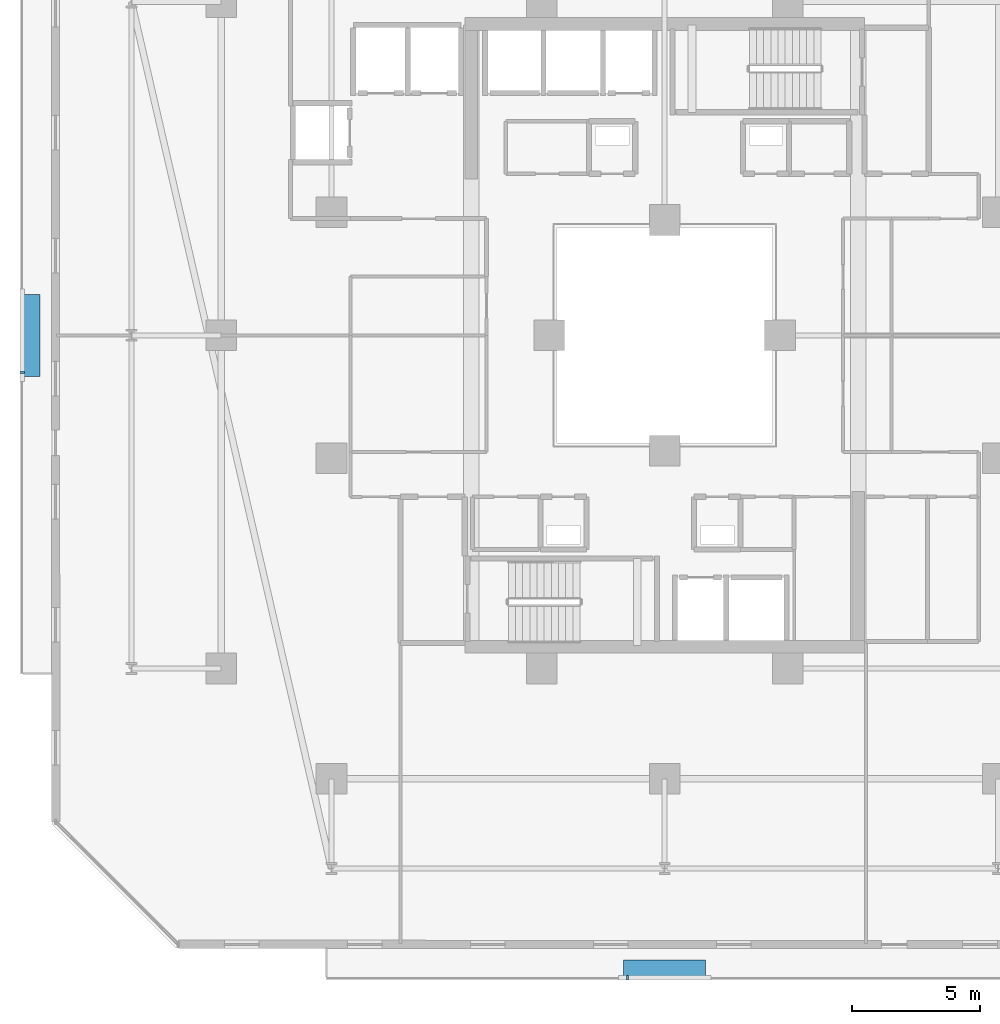
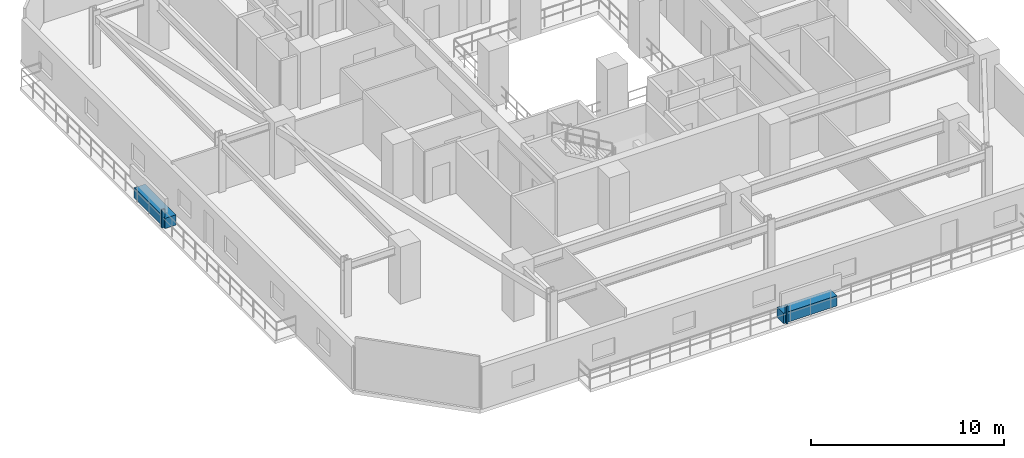
# One storey, part 27 of 34: 4 discrete accessories.
"""IFC4 building model written with IfcOpenShell, lengths in metres."""

from ifc_helpers import new_model, si_unit, direction, frame, origin, origin_2d, place, context, subcontext, project, spatial, rectangle, extrude, material, type_object, element, save


model = new_model("IFC4")

# Units and contexts
model_context = context("Model", 3, precision=1e-05, world=origin(), true_north=direction((0.0, 1.0)))
body_context = subcontext(model_context, "Body", "Model", "MODEL_VIEW")
ifc_project = project(units=[si_unit("LENGTHUNIT", "METRE"), si_unit("AREAUNIT", "SQUARE_METRE"), si_unit("VOLUMEUNIT", "CUBIC_METRE"), si_unit("PLANEANGLEUNIT", "RADIAN"), si_unit("MASSUNIT", "GRAM", prefix="KILO")], contexts=[model_context])

# Site, building, storey
site_placement = place(None, origin())
site = spatial("IfcSite", under=ifc_project, at=site_placement, CompositionType="ELEMENT")
building_placement = place(site_placement, origin())
building = spatial("IfcBuilding", under=site, at=building_placement, Name="Thornwick Lancets Civic Towers", CompositionType="ELEMENT")
storey_placement = place(building_placement, frame((0.0, 0.0, 137.699951171875)))
storey = spatial("IfcBuildingStorey", under=building, at=storey_placement, Name="L36", CompositionType="ELEMENT", Elevation=137.699951171875)

# Discrete accessories
ifc_material_1 = material(Name="Planted terracotta greenery planter", Category="masonry")
discrete_accessory_type_1 = type_object("IfcDiscreteAccessoryType", Name="ACC_PLANTER_BOX", PredefinedType="USERDEFINED", material=ifc_material_1)
discrete_accessory_1_placement = place(storey_placement, frame((25.5, 2.300048828125, 0.0), z_axis=(0.0, 0.0, 1.0), x_axis=(1.0, 0.0, 0.0)))
element("IfcDiscreteAccessory", 1, at=discrete_accessory_1_placement, inside=storey, type_object=discrete_accessory_type_1, Name="L36 Tower A Balcony Greenery Planter S", ObjectType="PLANTER", PredefinedType="USERDEFINED", context=body_context, shape_type="SweptSolid", body=[
    extrude(rectangle(XDim=3.199951171875, YDim=0.64990234375, at=origin_2d()), origin(), (0.0, 0.0, 1.0), 0.64990234375),
])
discrete_accessory_2_placement = place(storey_placement, frame((0.800048828125, 27.0, 0.0), z_axis=(0.0, 0.0, 1.0), x_axis=(1.0, 0.0, 0.0)))
element("IfcDiscreteAccessory", 2, at=discrete_accessory_2_placement, inside=storey, type_object=discrete_accessory_type_1, Name="L36 Tower A Balcony Greenery Planter W", ObjectType="PLANTER", PredefinedType="USERDEFINED", context=body_context, shape_type="SweptSolid", body=[
    extrude(rectangle(XDim=0.64990234375, YDim=3.199951171875, at=origin_2d()), origin(), (0.0, 0.0, 1.0), 0.64990234375),
])
ifc_material_2 = material(Name="Stainless steel S355", Category="steel")
discrete_accessory_type_2 = type_object("IfcDiscreteAccessoryType", Name="ACC_SCREEN_BRACKET", PredefinedType="BRACKET", material=ifc_material_2)
for number, where, z_axis, x_axis, name in (
    (3, (24.050048828125, 1.93994140625, 0.0), (0.0, 0.0, 1.0), (1.0, 0.0, 0.0), "L36 Tower A Balcony Screen Stanchion Bracket S-1"),
    (4, (0.43994140625, 25.550048828125, 0.0), (0.0, 0.0, 1.0), (0.0, 1.0, 0.0), "L36 Tower A Balcony Screen Stanchion Bracket W-1"),
):
    element("IfcDiscreteAccessory", number, at=place(storey_placement, frame(where, z_axis=z_axis, x_axis=x_axis)), inside=storey, type_object=discrete_accessory_type_2, Name=name, PredefinedType="BRACKET", context=body_context, shape_type="SweptSolid", body=[
        extrude(rectangle(XDim=0.080078125, YDim=0.179931640625, at=origin_2d()), origin(), (0.0, 0.0, 1.0), 1.14990234375),
    ])

save(model, "model.ifc")
